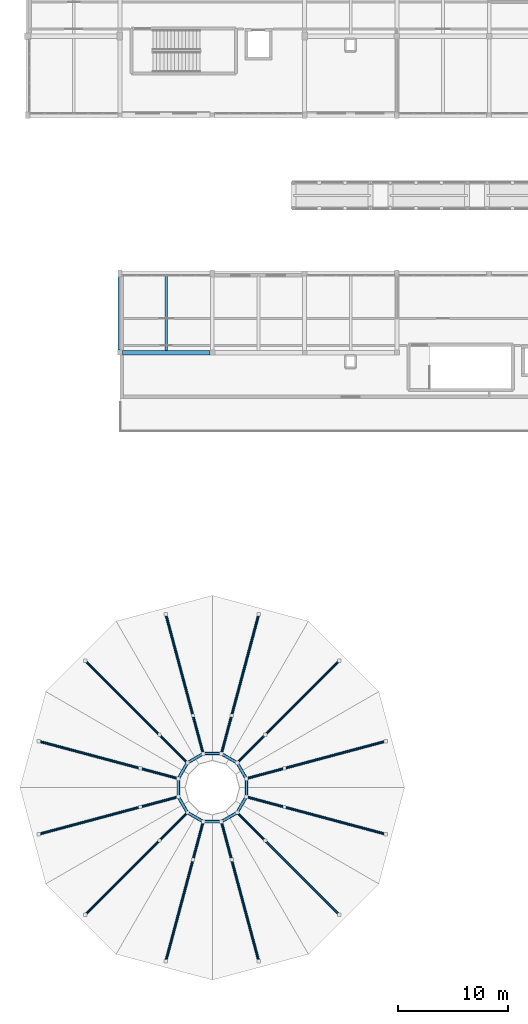
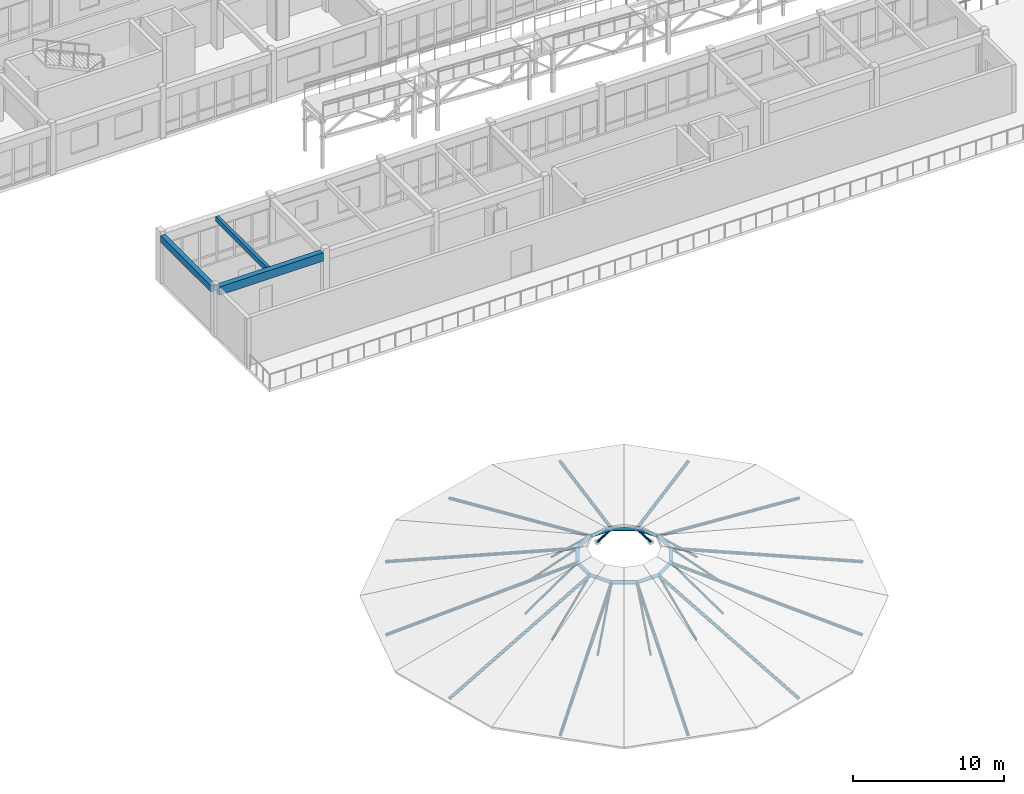
# One storey, part 21 of 89: 36 members, 3 beams.
"""IFC4 building model written with IfcOpenShell, lengths in metres."""

from ifc_helpers import new_model, si_unit, direction, frame, origin, origin_2d, place, context, subcontext, project, spatial, rectangle, hollow_circle, extrude, material, material_profile, profile_set, type_object, element, save


model = new_model("IFC4")

# Units and contexts
model_context = context("Model", 3, precision=1e-05, world=origin(), true_north=direction((0.0, 1.0)))
body_context = subcontext(model_context, "Body", "Model", "MODEL_VIEW")
ifc_project = project(units=[si_unit("LENGTHUNIT", "METRE"), si_unit("AREAUNIT", "SQUARE_METRE"), si_unit("VOLUMEUNIT", "CUBIC_METRE"), si_unit("PLANEANGLEUNIT", "RADIAN"), si_unit("MASSUNIT", "GRAM", prefix="KILO")], contexts=[model_context])

# Site, building, storey
site_placement = place(None, origin())
site = spatial("IfcSite", under=ifc_project, at=site_placement, CompositionType="ELEMENT")
building_placement = place(site_placement, origin())
building = spatial("IfcBuilding", under=site, at=building_placement, Name="Malvenik Polytechnic", CompositionType="ELEMENT")
storey_placement = place(building_placement, frame((0.0, 0.0, 13.5)))
storey = spatial("IfcBuildingStorey", under=building, at=storey_placement, Name="L03", CompositionType="ELEMENT", Elevation=13.5)

# Beams
ifc_material_1 = material(Name="Concrete C35/45", Category="concrete")
ifc_material_profile_1 = material_profile(ifc_material_1, rectangle(XDim=0.39990234375, YDim=0.679931640625, at=origin_2d()), Name="RC BM 400x680")
ifc_profile_set_1 = profile_set([ifc_material_profile_1], Name="Concrete C35/45")
beam_type_1 = type_object("IfcBeamType", Name="STR-BM-B-05", PredefinedType="BEAM", material=ifc_profile_set_1)
beam_1_placement = place(storey_placement, frame((8.623046875, 57.60009765625, 3.580078125), z_axis=(1.0, 0.0, 0.0), x_axis=(0.0, 1.0, 0.0)))
element("IfcBeam", 1, at=beam_1_placement, inside=storey, type_object=beam_type_1, Name="Primary Beam B-05 L03 #1622", PredefinedType="BEAM", context=body_context, shape_type="SweptSolid", body=[
    extrude(rectangle(XDim=0.39990234375, YDim=0.679931640625, at=origin_2d()), origin(), (0.0, 0.0, 1.0), 7.953857421875),
])
ifc_material_profile_2 = material_profile(ifc_material_1, rectangle(XDim=0.35009765625, YDim=0.550048828125, at=origin_2d()), Name="RC BM 350x550")
ifc_profile_set_2 = profile_set([ifc_material_profile_2], Name="Concrete C35/45")
beam_type_2 = type_object("IfcBeamType", Name="STR-BM-B-08", PredefinedType="BEAM", material=ifc_profile_set_2)
beam_2_placement = place(storey_placement, frame((8.39990234375, 57.822998046875, 3.64501953125), z_axis=(0.0, 1.0, 0.0), x_axis=(-1.0, 0.0, 0.0)))
element("IfcBeam", 2, at=beam_2_placement, inside=storey, type_object=beam_type_2, Name="Transverse Beam B-08 L03 #1723", PredefinedType="BEAM", context=body_context, shape_type="SweptSolid", body=[
    extrude(rectangle(XDim=0.35009765625, YDim=0.550048828125, at=origin_2d()), origin(), (0.0, 0.0, 1.0), 6.678955078125),
])
ifc_material_2 = material(Name="Concrete C30/37", Category="concrete")
ifc_material_profile_3 = material_profile(ifc_material_2, rectangle(XDim=0.239990234375, YDim=0.419921875, at=origin_2d()), Name="RC JST 240x420")
ifc_profile_set_3 = profile_set([ifc_material_profile_3], Name="Concrete C30/37")
beam_type_3 = type_object("IfcBeamType", Name="STR-BM-J-03", PredefinedType="JOIST", material=ifc_profile_set_3)
beam_3_placement = place(storey_placement, frame((12.60009765625, 57.798095703125, 3.7099609375), z_axis=(0.0, 1.0, 0.0), x_axis=(-1.0, 0.0, 0.0)))
element("IfcBeam", 3, at=beam_3_placement, inside=storey, type_object=beam_type_3, Name="Secondary Rib Joist J-03 L03 #1787", PredefinedType="JOIST", context=body_context, shape_type="SweptSolid", body=[
    extrude(rectangle(XDim=0.239990234375, YDim=0.419921875, at=origin_2d()), origin(), (0.0, 0.0, 1.0), 6.77392578125),
])

# Members
ifc_material_3 = material(Name="Steel S355J2H", Category="steel")
ifc_material_profile_4 = material_profile(ifc_material_3, hollow_circle(Radius=0.084228515625, WallThickness=0.008056640625, at=origin_2d()), Name="CHS 168.3x8.0")
ifc_profile_set_4 = profile_set([ifc_material_profile_4], Name="Steel S355J2H")
member_type_1 = type_object("IfcMemberType", Name="STR-MEM-SFD-01", PredefinedType="BRACE", material=ifc_profile_set_4)
member_1_placement = place(storey_placement, frame((23.365478515625, 19.75927734375, -0.21728515625), z_axis=(-0.693987546507, -0.185990614609, 0.695549262505), x_axis=(0.258867368062, -0.965912876895, 0.0)))
element("IfcMember", 4, at=member_1_placement, inside=storey, type_object=member_type_1, Name="Space-Frame Tube SFD-01 STR-ROT-WEB-01", PredefinedType="BRACE", context=body_context, shape_type="SweptSolid", body=[
    extrude(hollow_circle(Radius=0.084228515625, WallThickness=0.008056640625, at=origin_2d()), origin(), (0.0, 0.0, 1.0), 5.00244140625),
])
member_2_placement = place(storey_placement, frame((21.606201171875, 22.806396484375, -0.21728515625), z_axis=(-0.508030670944, -0.508079473122, 0.695528638068), x_axis=(0.707140741602, -0.70707281914, 0.0)))
element("IfcMember", 5, at=member_2_placement, inside=storey, type_object=member_type_1, Name="Space-Frame Tube SFD-01 STR-ROT-WEB-02", PredefinedType="BRACE", context=body_context, shape_type="SweptSolid", body=[
    extrude(hollow_circle(Radius=0.084228515625, WallThickness=0.008056640625, at=origin_2d()), origin(), (0.0, 0.0, 1.0), 5.002685546875),
])
for number, where, z_axis, x_axis, name in (
    (6, (18.559326171875, 24.5654296875, -0.21728515625), (-0.185990614609, -0.693987546507, 0.695549262505), (0.965912876895, -0.258867368062, 0.0), "Space-Frame Tube SFD-01 STR-ROT-WEB-03"),
    (7, (15.040771484375, 24.5654296875, -0.21728515625), (0.185990614609, -0.693987546507, 0.695549262505), (0.965912876895, 0.258867368062, 0.0), "Space-Frame Tube SFD-01 STR-ROT-WEB-04"),
):
    element("IfcMember", number, at=place(storey_placement, frame(where, z_axis=z_axis, x_axis=x_axis)), inside=storey, type_object=member_type_1, Name=name, PredefinedType="BRACE", context=body_context, shape_type="SweptSolid", body=[
        extrude(hollow_circle(Radius=0.084228515625, WallThickness=0.008056640625, at=origin_2d()), origin(), (0.0, 0.0, 1.0), 5.00244140625),
    ])
member_3_placement = place(storey_placement, frame((11.99365234375, 22.806396484375, -0.21728515625), z_axis=(0.508066876169, -0.508066876169, 0.695511393638), x_axis=(0.707106781187, 0.707106781187, 0.0)))
element("IfcMember", 8, at=member_3_placement, inside=storey, type_object=member_type_1, Name="Space-Frame Tube SFD-01 STR-ROT-WEB-05", PredefinedType="BRACE", context=body_context, shape_type="SweptSolid", body=[
    extrude(hollow_circle(Radius=0.084228515625, WallThickness=0.008056640625, at=origin_2d()), origin(), (0.0, 0.0, 1.0), 5.002685546875),
])
for number, where, z_axis, x_axis, name in (
    (9, (10.234619140625, 19.75927734375, -0.21728515625), (0.693987546507, -0.185990614609, 0.695549262505), (0.258867368062, 0.965912876895, 0.0), "Space-Frame Tube SFD-01 STR-ROT-WEB-06"),
    (10, (10.234619140625, 16.24072265625, -0.21728515625), (0.693987546507, 0.185990614609, 0.695549262505), (-0.258867368062, 0.965912876895, 0.0), "Space-Frame Tube SFD-01 STR-ROT-WEB-07"),
):
    element("IfcMember", number, at=place(storey_placement, frame(where, z_axis=z_axis, x_axis=x_axis)), inside=storey, type_object=member_type_1, Name=name, PredefinedType="BRACE", context=body_context, shape_type="SweptSolid", body=[
        extrude(hollow_circle(Radius=0.084228515625, WallThickness=0.008056640625, at=origin_2d()), origin(), (0.0, 0.0, 1.0), 5.00244140625),
    ])
member_4_placement = place(storey_placement, frame((11.99365234375, 13.193603515625, -0.21728515625), z_axis=(0.508066876169, 0.508066876169, 0.695511393638), x_axis=(-0.707106781187, 0.707106781187, 0.0)))
element("IfcMember", 11, at=member_4_placement, inside=storey, type_object=member_type_1, Name="Space-Frame Tube SFD-01 STR-ROT-WEB-08", PredefinedType="BRACE", context=body_context, shape_type="SweptSolid", body=[
    extrude(hollow_circle(Radius=0.084228515625, WallThickness=0.008056640625, at=origin_2d()), origin(), (0.0, 0.0, 1.0), 5.002685546875),
])
for number, where, z_axis, x_axis, name in (
    (12, (15.040771484375, 11.4345703125, -0.21728515625), (0.185990614609, 0.693987546507, 0.695549262505), (-0.965912876895, 0.258867368062, 0.0), "Space-Frame Tube SFD-01 STR-ROT-WEB-09"),
    (13, (18.559326171875, 11.4345703125, -0.21728515625), (-0.185990614609, 0.693987546507, 0.695549262505), (-0.965912876895, -0.258867368062, 0.0), "Space-Frame Tube SFD-01 STR-ROT-WEB-10"),
):
    element("IfcMember", number, at=place(storey_placement, frame(where, z_axis=z_axis, x_axis=x_axis)), inside=storey, type_object=member_type_1, Name=name, PredefinedType="BRACE", context=body_context, shape_type="SweptSolid", body=[
        extrude(hollow_circle(Radius=0.084228515625, WallThickness=0.008056640625, at=origin_2d()), origin(), (0.0, 0.0, 1.0), 5.00244140625),
    ])
member_5_placement = place(storey_placement, frame((21.606201171875, 13.193603515625, -0.21728515625), z_axis=(-0.508030670944, 0.508079473122, 0.695528638068), x_axis=(-0.707140741602, -0.70707281914, 0.0)))
element("IfcMember", 14, at=member_5_placement, inside=storey, type_object=member_type_1, Name="Space-Frame Tube SFD-01 STR-ROT-WEB-11", PredefinedType="BRACE", context=body_context, shape_type="SweptSolid", body=[
    extrude(hollow_circle(Radius=0.084228515625, WallThickness=0.008056640625, at=origin_2d()), origin(), (0.0, 0.0, 1.0), 5.002685546875),
])
member_6_placement = place(storey_placement, frame((23.365478515625, 16.24072265625, -0.21728515625), z_axis=(-0.693987546507, 0.185990614609, 0.695549262505), x_axis=(-0.258867368062, -0.965912876895, 0.0)))
element("IfcMember", 15, at=member_6_placement, inside=storey, type_object=member_type_1, Name="Space-Frame Tube SFD-01 STR-ROT-WEB-12", PredefinedType="BRACE", context=body_context, shape_type="SweptSolid", body=[
    extrude(hollow_circle(Radius=0.084228515625, WallThickness=0.008056640625, at=origin_2d()), origin(), (0.0, 0.0, 1.0), 5.00244140625),
])
ifc_material_profile_5 = material_profile(ifc_material_3, hollow_circle(Radius=0.136474609375, WallThickness=0.012451171875, at=origin_2d()), Name="CHS 273.0x12.5")
ifc_profile_set_5 = profile_set([ifc_material_profile_5], Name="Steel S355J2H")
member_type_2 = type_object("IfcMemberType", Name="STR-MEM-SFT-02", PredefinedType="CHORD", material=ifc_profile_set_5)
for number, where, z_axis, x_axis, name in (
    (16, (19.888916015625, 18.831787109375, 3.264892578125), (-0.500025879676, 0.866010461631, 0.0), (-0.866010461631, -0.500025879676, 0.0), "Space-Frame Tube SFT-02 STR-ROT-TRNG-01"),
    (17, (19.05908203125, 20.2646484375, 3.264892578125), (-0.865946322698, 0.500136947452, 0.0), (-0.500136947452, -0.865946322698, 0.0), "Space-Frame Tube SFT-02 STR-ROT-TRNG-02"),
    (18, (17.624267578125, 21.091064453125, 3.264892578125), (-1.0, 0.0, 0.0), (0.0, -1.0, 0.0), "Space-Frame Tube SFT-02 STR-ROT-TRNG-03"),
    (19, (15.96826171875, 21.089111328125, 3.264892578125), (-0.865946322698, -0.500136947452, 0.0), (0.500136947452, -0.865946322698, 0.0), "Space-Frame Tube SFT-02 STR-ROT-TRNG-04"),
    (20, (14.535400390625, 20.25927734375, 3.264892578125), (-0.500136947452, -0.865946322698, 0.0), (0.865946322698, -0.500136947452, 0.0), "Space-Frame Tube SFT-02 STR-ROT-TRNG-05"),
    (21, (13.708984375, 18.82421875, 3.264892578125), (0.0, -1.0, 0.0), (1.0, 0.0, 0.0), "Space-Frame Tube SFT-02 STR-ROT-TRNG-06"),
    (22, (13.7109375, 17.168212890625, 3.264892578125), (0.500136947452, -0.865946322698, 0.0), (0.865946322698, 0.500136947452, 0.0), "Space-Frame Tube SFT-02 STR-ROT-TRNG-07"),
    (23, (14.540771484375, 15.7353515625, 3.264892578125), (0.865946322698, -0.500136947452, 0.0), (0.500136947452, 0.865946322698, 0.0), "Space-Frame Tube SFT-02 STR-ROT-TRNG-08"),
    (24, (15.975830078125, 14.908935546875, 3.264892578125), (1.0, 0.0, 0.0), (0.0, 1.0, 0.0), "Space-Frame Tube SFT-02 STR-ROT-TRNG-09"),
    (25, (17.631591796875, 14.910888671875, 3.264892578125), (0.865946322698, 0.500136947452, 0.0), (-0.500136947452, 0.865946322698, 0.0), "Space-Frame Tube SFT-02 STR-ROT-TRNG-10"),
    (26, (19.064697265625, 15.74072265625, 3.264892578125), (0.500025879676, 0.866010461631, 0.0), (-0.866010461631, 0.500025879676, 0.0), "Space-Frame Tube SFT-02 STR-ROT-TRNG-11"),
    (27, (19.89111328125, 17.17578125, 3.264892578125), (0.0, 1.0, 0.0), (-1.0, 0.0, 0.0), "Space-Frame Tube SFT-02 STR-ROT-TRNG-12"),
):
    element("IfcMember", number, at=place(storey_placement, frame(where, z_axis=z_axis, x_axis=x_axis)), inside=storey, type_object=member_type_2, Name=name, PredefinedType="CHORD", context=body_context, shape_type="SweptSolid", body=[
        extrude(hollow_circle(Radius=0.136474609375, WallThickness=0.012451171875, at=origin_2d()), origin(), (0.0, 0.0, 1.0), 1.6484375),
    ])
ifc_material_profile_6 = material_profile(ifc_material_3, hollow_circle(Radius=0.122314453125, WallThickness=0.010009765625, at=origin_2d()), Name="CHS 244.5x10.0")
ifc_profile_set_6 = profile_set([ifc_material_profile_6], Name="Steel S355J2H")
member_type_3 = type_object("IfcMemberType", Name="STR-MEM-SFT-03", PredefinedType="CHORD", material=ifc_profile_set_6)
member_7_placement = place(storey_placement, frame((32.58935546875, 22.23095703125, -0.194091796875), z_axis=(-0.934125250989, -0.250324081145, 0.254456027367), x_axis=(0.258844104412, -0.965919111319, 0.0)))
element("IfcMember", 28, at=member_7_placement, inside=storey, type_object=member_type_3, Name="Space-Frame Tube SFT-03 STR-ROT-RFT-01", PredefinedType="CHORD", context=body_context, shape_type="SweptSolid", body=[
    extrude(hollow_circle(Radius=0.122314453125, WallThickness=0.010009765625, at=origin_2d()), origin(), (0.0, 0.0, 1.0), 13.58984375),
])
member_8_placement = place(storey_placement, frame((28.3583984375, 29.558349609375, -0.194091796875), z_axis=(-0.683831071827, -0.683831071827, 0.254460469245), x_axis=(0.707106781187, -0.707106781187, 0.0)))
element("IfcMember", 29, at=member_8_placement, inside=storey, type_object=member_type_3, Name="Space-Frame Tube SFT-03 STR-ROT-RFT-02", PredefinedType="CHORD", context=body_context, shape_type="SweptSolid", body=[
    extrude(hollow_circle(Radius=0.122314453125, WallThickness=0.010009765625, at=origin_2d()), origin(), (0.0, 0.0, 1.0), 13.589599609375),
])
for number, where, z_axis, x_axis, name in (
    (30, (21.031005859375, 33.789306640625, -0.194091796875), (-0.250324081145, -0.934125250989, 0.254456027367), (0.965919111319, -0.258844104412, 0.0), "Space-Frame Tube SFT-03 STR-ROT-RFT-03"),
    (31, (12.569091796875, 33.789306640625, -0.194091796875), (0.250307241772, -0.934129451692, 0.25445717164), (0.965923755713, 0.258826772474, 0.0), "Space-Frame Tube SFT-03 STR-ROT-RFT-04"),
):
    element("IfcMember", number, at=place(storey_placement, frame(where, z_axis=z_axis, x_axis=x_axis)), inside=storey, type_object=member_type_3, Name=name, PredefinedType="CHORD", context=body_context, shape_type="SweptSolid", body=[
        extrude(hollow_circle(Radius=0.122314453125, WallThickness=0.010009765625, at=origin_2d()), origin(), (0.0, 0.0, 1.0), 13.58984375),
    ])
member_9_placement = place(storey_placement, frame((5.24169921875, 29.558349609375, -0.194091796875), z_axis=(0.683831071827, -0.683831071827, 0.254460469245), x_axis=(0.707106781187, 0.707106781187, 0.0)))
element("IfcMember", 32, at=member_9_placement, inside=storey, type_object=member_type_3, Name="Space-Frame Tube SFT-03 STR-ROT-RFT-05", PredefinedType="CHORD", context=body_context, shape_type="SweptSolid", body=[
    extrude(hollow_circle(Radius=0.122314453125, WallThickness=0.010009765625, at=origin_2d()), origin(), (0.0, 0.0, 1.0), 13.589599609375),
])
for number, where, z_axis, x_axis, name in (
    (33, (1.0107421875, 22.23095703125, -0.194091796875), (0.934125250989, -0.250324081145, 0.254456027367), (0.258844104412, 0.965919111319, 0.0), "Space-Frame Tube SFT-03 STR-ROT-RFT-06"),
    (34, (1.0107421875, 13.76904296875, -0.194091796875), (0.934125250989, 0.250324081145, 0.254456027367), (-0.258844104412, 0.965919111319, 0.0), "Space-Frame Tube SFT-03 STR-ROT-RFT-07"),
):
    element("IfcMember", number, at=place(storey_placement, frame(where, z_axis=z_axis, x_axis=x_axis)), inside=storey, type_object=member_type_3, Name=name, PredefinedType="CHORD", context=body_context, shape_type="SweptSolid", body=[
        extrude(hollow_circle(Radius=0.122314453125, WallThickness=0.010009765625, at=origin_2d()), origin(), (0.0, 0.0, 1.0), 13.58984375),
    ])
member_10_placement = place(storey_placement, frame((5.24169921875, 6.441650390625, -0.194091796875), z_axis=(0.683831071827, 0.683831071827, 0.254460469245), x_axis=(-0.707106781187, 0.707106781187, 0.0)))
element("IfcMember", 35, at=member_10_placement, inside=storey, type_object=member_type_3, Name="Space-Frame Tube SFT-03 STR-ROT-RFT-08", PredefinedType="CHORD", context=body_context, shape_type="SweptSolid", body=[
    extrude(hollow_circle(Radius=0.122314453125, WallThickness=0.010009765625, at=origin_2d()), origin(), (0.0, 0.0, 1.0), 13.589599609375),
])
for number, where, z_axis, x_axis, name in (
    (36, (12.569091796875, 2.210693359375, -0.194091796875), (0.250307241772, 0.934129451692, 0.25445717164), (-0.965923755713, 0.258826772474, 0.0), "Space-Frame Tube SFT-03 STR-ROT-RFT-09"),
    (37, (21.031005859375, 2.210693359375, -0.194091796875), (-0.250324081145, 0.934125250989, 0.254456027367), (-0.965919111319, -0.258844104412, 0.0), "Space-Frame Tube SFT-03 STR-ROT-RFT-10"),
):
    element("IfcMember", number, at=place(storey_placement, frame(where, z_axis=z_axis, x_axis=x_axis)), inside=storey, type_object=member_type_3, Name=name, PredefinedType="CHORD", context=body_context, shape_type="SweptSolid", body=[
        extrude(hollow_circle(Radius=0.122314453125, WallThickness=0.010009765625, at=origin_2d()), origin(), (0.0, 0.0, 1.0), 13.58984375),
    ])
member_11_placement = place(storey_placement, frame((28.3583984375, 6.441650390625, -0.194091796875), z_axis=(-0.683831071827, 0.683831071827, 0.254460469245), x_axis=(-0.707106781187, -0.707106781187, 0.0)))
element("IfcMember", 38, at=member_11_placement, inside=storey, type_object=member_type_3, Name="Space-Frame Tube SFT-03 STR-ROT-RFT-11", PredefinedType="CHORD", context=body_context, shape_type="SweptSolid", body=[
    extrude(hollow_circle(Radius=0.122314453125, WallThickness=0.010009765625, at=origin_2d()), origin(), (0.0, 0.0, 1.0), 13.589599609375),
])
member_12_placement = place(storey_placement, frame((32.58935546875, 13.76904296875, -0.194091796875), z_axis=(-0.934125250989, 0.250324081145, 0.254456027367), x_axis=(-0.258844104412, -0.965919111319, 0.0)))
element("IfcMember", 39, at=member_12_placement, inside=storey, type_object=member_type_3, Name="Space-Frame Tube SFT-03 STR-ROT-RFT-12", PredefinedType="CHORD", context=body_context, shape_type="SweptSolid", body=[
    extrude(hollow_circle(Radius=0.122314453125, WallThickness=0.010009765625, at=origin_2d()), origin(), (0.0, 0.0, 1.0), 13.58984375),
])

save(model, "model.ifc")
